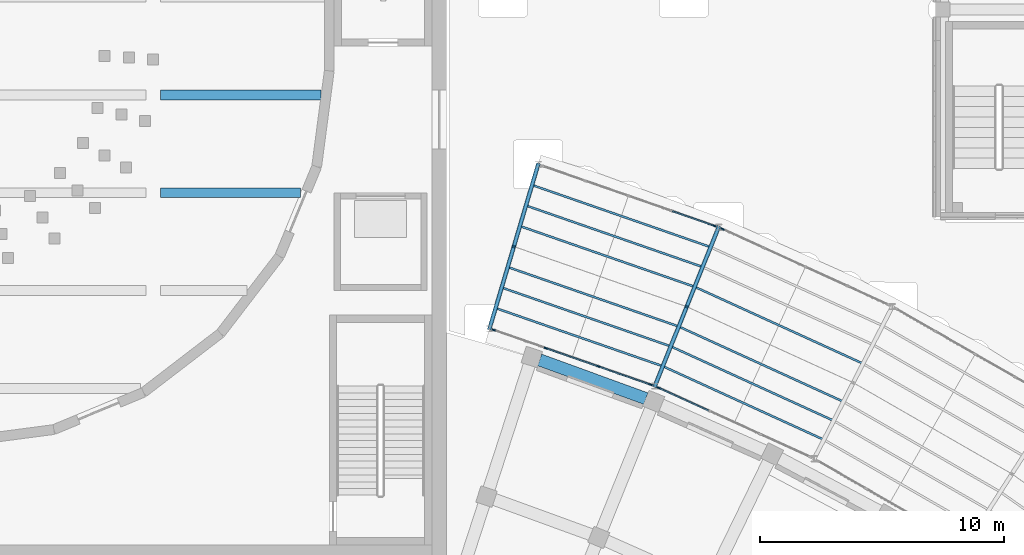
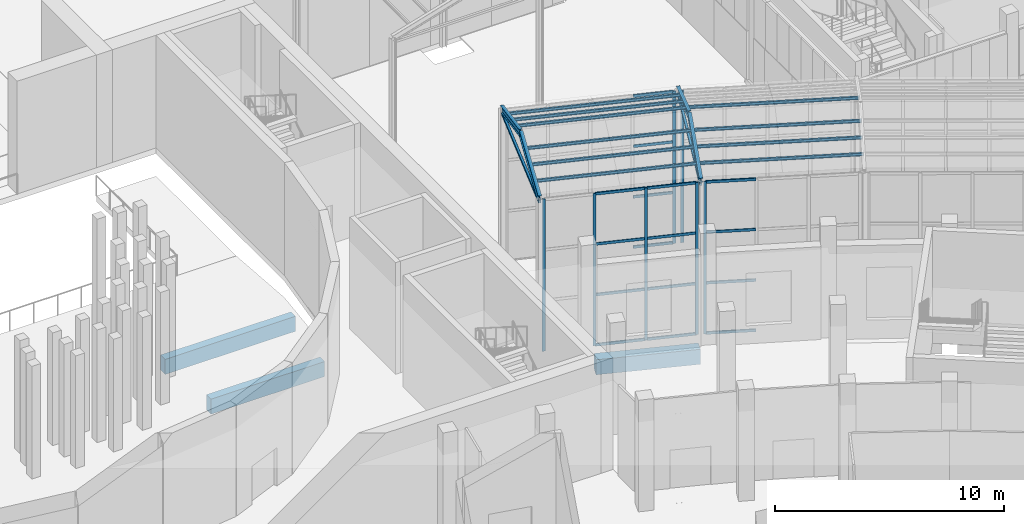
# One storey, part 46 of 155: 33 members, 9 beams, 4 elements without a shape of their own.
"""IFC4 building model written with IfcOpenShell, lengths in metres."""

from ifc_helpers import new_model, si_unit, direction, frame, origin, origin_2d, place, context, subcontext, project, spatial, rectangle, hollow_rectangle, i_section, extrude, material, layer, layer_set, material_profile, profile_set, type_object, element, aggregate, save


model = new_model("IFC4")

# Units and contexts
model_context = context("Model", 3, precision=1e-05, world=origin(), true_north=direction((0.0, 1.0)))
body_context = subcontext(model_context, "Body", "Model", "MODEL_VIEW")
ifc_project = project(units=[si_unit("LENGTHUNIT", "METRE"), si_unit("AREAUNIT", "SQUARE_METRE"), si_unit("VOLUMEUNIT", "CUBIC_METRE"), si_unit("PLANEANGLEUNIT", "RADIAN"), si_unit("MASSUNIT", "GRAM", prefix="KILO")], contexts=[model_context])

# Site, building, storey
site_placement = place(None, origin())
site = spatial("IfcSite", under=ifc_project, at=site_placement, CompositionType="ELEMENT")
building_placement = place(site_placement, origin())
building = spatial("IfcBuilding", under=site, at=building_placement, Name="Lunette Opera House", CompositionType="ELEMENT")
storey_placement = place(building_placement, origin())
storey = spatial("IfcBuildingStorey", under=building, at=storey_placement, Name="L00", CompositionType="ELEMENT", Elevation=0.0)

# Curtain wall, members
ifc_material_1 = material(Name="Aluminium", Category="aluminium")
ifc_layer = layer(ifc_material_1, 0.139892578125)
ifc_layer_set = layer_set([ifc_layer], Name="Aluminium")
curtain_wall_type = type_object("IfcCurtainWallType", Name="PASSAGE CURTAIN WALL", PredefinedType="NOTDEFINED", material=ifc_layer_set)
curtain_wall_1_placement = place(storey_placement, origin())
curtain_wall_1 = element("IfcCurtainWall", 1, at=curtain_wall_1_placement, inside=storey, type_object=curtain_wall_type, Name="Passage Curtain Wall EI1 L00", PredefinedType="NOTDEFINED")
ifc_material_2 = material(Name="Aluminium", Category="aluminium")
ifc_material_profile_1 = material_profile(ifc_material_2, rectangle(XDim=0.06005859375, YDim=0.139892578125, at=origin_2d()), Name="MULLION 60 X 140")
ifc_profile_set_1 = profile_set([ifc_material_profile_1], Name="Aluminium")
member_type_1 = type_object("IfcMemberType", Name="MULLION 60 X 140", PredefinedType="MULLION", material=ifc_profile_set_1)
member_1_placement = place(storey_placement, frame((117.92626953125, 73.38720703125, 0.0), z_axis=(0.0, 0.0, 1.0), x_axis=(0.328622409228, 0.944461387328, 0.0)))
member_1 = element("IfcMember", 2, at=member_1_placement, type_object=member_type_1, Name="PP-X2001 mullion 1", PredefinedType="MULLION", context=body_context, shape_type="SweptSolid", body=[
    extrude(rectangle(XDim=0.06005859375, YDim=0.139892578125, at=origin_2d()), origin(), (0.0, 0.0, 1.0), 8.10009765625),
])
member_2_placement = place(storey_placement, frame((120.057373046875, 72.645751953125, 0.0), z_axis=(0.0, 0.0, 1.0), x_axis=(0.328622409228, 0.944461387328, 0.0)))
member_2 = element("IfcMember", 3, at=member_2_placement, type_object=member_type_1, Name="PP-X2001 mullion 2", PredefinedType="MULLION", context=body_context, shape_type="SweptSolid", body=[
    extrude(rectangle(XDim=0.06005859375, YDim=0.139892578125, at=origin_2d()), origin(), (0.0, 0.0, 1.0), 8.10009765625),
])
member_3_placement = place(storey_placement, frame((122.216552734375, 71.894287109375, 0.0), z_axis=(0.0, 0.0, 1.0), x_axis=(0.328622409228, 0.944461387328, 0.0)))
member_3 = element("IfcMember", 4, at=member_3_placement, type_object=member_type_1, Name="PP-X2001 mullion 3", PredefinedType="MULLION", context=body_context, shape_type="SweptSolid", body=[
    extrude(rectangle(XDim=0.06005859375, YDim=0.139892578125, at=origin_2d()), origin(), (0.0, 0.0, 1.0), 8.10009765625),
])
member_4_placement = place(storey_placement, frame((124.34765625, 71.15283203125, 0.0), z_axis=(0.0, 0.0, 1.0), x_axis=(0.328622409228, 0.944461387328, 0.0)))
member_4 = element("IfcMember", 5, at=member_4_placement, type_object=member_type_1, Name="PP-X2001 mullion 4", PredefinedType="MULLION", context=body_context, shape_type="SweptSolid", body=[
    extrude(rectangle(XDim=0.06005859375, YDim=0.139892578125, at=origin_2d()), origin(), (0.0, 0.0, 1.0), 8.10009765625),
])

# Curtain wall, member
curtain_wall_2_placement = place(storey_placement, origin())
curtain_wall_2 = element("IfcCurtainWall", 6, at=curtain_wall_2_placement, inside=storey, type_object=curtain_wall_type, Name="Passage Curtain Wall EI2 L00", PredefinedType="NOTDEFINED")
member_5_placement = place(storey_placement, frame((124.681396484375, 71.01953125, 0.0), z_axis=(0.0, 0.0, 1.0), x_axis=(0.415273993958, 0.909696383384, 0.0)))
member_5 = element("IfcMember", 7, at=member_5_placement, type_object=member_type_1, Name="PP-X2002 mullion 1", PredefinedType="MULLION", context=body_context, shape_type="SweptSolid", body=[
    extrude(rectangle(XDim=0.06005859375, YDim=0.139892578125, at=origin_2d()), origin(), (0.0, 0.0, 1.0), 8.10009765625),
])

curtain_wall_3_placement = place(storey_placement, origin())
curtain_wall_3 = element("IfcCurtainWall", 8, at=curtain_wall_3_placement, inside=storey, type_object=curtain_wall_type, Name="Passage Curtain Wall EO1 L00", PredefinedType="NOTDEFINED")
member_6_placement = place(storey_placement, frame((126.95361328125, 77.64892578125, 0.0), z_axis=(0.0, 0.0, 1.0), x_axis=(0.328618707109, 0.94446267546, 0.0)))
member_6 = element("IfcMember", 9, at=member_6_placement, type_object=member_type_1, Name="PP-X2007 mullion 5", PredefinedType="MULLION", context=body_context, shape_type="SweptSolid", body=[
    extrude(rectangle(XDim=0.06005859375, YDim=0.139892578125, at=origin_2d()), origin(), (0.0, 0.0, 1.0), 8.10009765625),
])

curtain_wall_4_placement = place(storey_placement, origin())
curtain_wall_4 = element("IfcCurtainWall", 10, at=curtain_wall_4_placement, inside=storey, type_object=curtain_wall_type, Name="Passage Curtain Wall EO2 L00", PredefinedType="NOTDEFINED")
member_7_placement = place(storey_placement, frame((127.287353515625, 77.515625, 0.0), z_axis=(0.0, 0.0, 1.0), x_axis=(0.415206161321, 0.909727345747, 0.0)))
member_7 = element("IfcMember", 11, at=member_7_placement, type_object=member_type_1, Name="PP-X2008 mullion 1", PredefinedType="MULLION", context=body_context, shape_type="SweptSolid", body=[
    extrude(rectangle(XDim=0.06005859375, YDim=0.139892578125, at=origin_2d()), origin(), (0.0, 0.0, 1.0), 8.10009765625),
])
aggregate(curtain_wall_4, [member_7])

# Members
ifc_material_3 = material(Name="Steel S355", Category="steel")
ifc_material_profile_2 = material_profile(ifc_material_3, i_section(OverallWidth=0.08203125, OverallDepth=0.159912109375, WebThickness=0.0048828125, FlangeThickness=0.00732421875, FilletRadius=0.009033203125, at=origin_2d()), Name="IPE 160")
ifc_profile_set_2 = profile_set([ifc_material_profile_2], Name="Steel S355")
member_type_2 = type_object("IfcMemberType", Name="PURLIN IPE 160", PredefinedType="PURLIN", material=ifc_profile_set_2)
member_8_placement = place(storey_placement, frame((118.0048828125, 74.284912109375, 8.47509765625), z_axis=(0.944493157796, -0.328531086623, 0.0), x_axis=(0.328531086623, 0.944493157796, 0.0)))
element("IfcMember", 12, at=member_8_placement, inside=storey, type_object=member_type_2, Name="mem-PP-L00-PU5A1", PredefinedType="PURLIN", context=body_context, shape_type="SweptSolid", body=[
    extrude(i_section(OverallWidth=0.08203125, OverallDepth=0.159912109375, WebThickness=0.0048828125, FlangeThickness=0.00732421875, FilletRadius=0.009033203125, at=origin_2d()), origin(), (0.0, 0.0, 1.0), 7.240966796875),
])
member_9_placement = place(storey_placement, frame((119.4951171875, 79.318115234375, 8.47509765625), z_axis=(0.944501908222, -0.328505928965, 0.0), x_axis=(0.328505928965, 0.944501908222, 0.0)))
element("IfcMember", 13, at=member_9_placement, inside=storey, type_object=member_type_2, Name="mem-PP-L00-PU5B1", PredefinedType="PURLIN", context=body_context, shape_type="SweptSolid", body=[
    extrude(i_section(OverallWidth=0.08203125, OverallDepth=0.159912109375, WebThickness=0.0048828125, FlangeThickness=0.00732421875, FilletRadius=0.009033203125, at=origin_2d()), origin(), (0.0, 0.0, 1.0), 7.732177734375),
])
member_10_placement = place(storey_placement, frame((118.2529296875, 75.1240234375, 8.75), z_axis=(0.94447835376, -0.328573643614, 0.0), x_axis=(0.328573643614, 0.94447835376, 0.0)))
element("IfcMember", 14, at=member_10_placement, inside=storey, type_object=member_type_2, Name="mem-PP-L00-PU5A2", PredefinedType="PURLIN", context=body_context, shape_type="SweptSolid", body=[
    extrude(i_section(OverallWidth=0.08203125, OverallDepth=0.159912109375, WebThickness=0.0048828125, FlangeThickness=0.00732421875, FilletRadius=0.009033203125, at=origin_2d()), origin(), (0.0, 0.0, 1.0), 7.322509765625),
])
member_11_placement = place(storey_placement, frame((119.2470703125, 78.47900390625, 8.75), z_axis=(0.944498949556, -0.328514435433, 0.0), x_axis=(0.328514435433, 0.944498949556, 0.0)))
element("IfcMember", 15, at=member_11_placement, inside=storey, type_object=member_type_2, Name="mem-PP-L00-PU5B2", PredefinedType="PURLIN", context=body_context, shape_type="SweptSolid", body=[
    extrude(i_section(OverallWidth=0.08203125, OverallDepth=0.159912109375, WebThickness=0.0048828125, FlangeThickness=0.00732421875, FilletRadius=0.009033203125, at=origin_2d()), origin(), (0.0, 0.0, 1.0), 7.6494140625),
])
member_12_placement = place(storey_placement, frame((118.5009765625, 75.962890625, 9.02490234375), z_axis=(0.944491904089, -0.328534690877, 0.0), x_axis=(0.328534690877, 0.944491904089, 0.0)))
element("IfcMember", 16, at=member_12_placement, inside=storey, type_object=member_type_2, Name="mem-PP-L00-PU5A3", PredefinedType="PURLIN", context=body_context, shape_type="SweptSolid", body=[
    extrude(i_section(OverallWidth=0.08203125, OverallDepth=0.159912109375, WebThickness=0.0048828125, FlangeThickness=0.00732421875, FilletRadius=0.009033203125, at=origin_2d()), origin(), (0.0, 0.0, 1.0), 7.4052734375),
])
member_13_placement = place(storey_placement, frame((118.9990234375, 77.639892578125, 9.02490234375), z_axis=(0.944513333608, -0.328473077492, 0.0), x_axis=(0.328473077492, 0.944513333608, 0.0)))
element("IfcMember", 17, at=member_13_placement, inside=storey, type_object=member_type_2, Name="mem-PP-L00-PU5B3", PredefinedType="PURLIN", context=body_context, shape_type="SweptSolid", body=[
    extrude(i_section(OverallWidth=0.08203125, OverallDepth=0.159912109375, WebThickness=0.0048828125, FlangeThickness=0.00732421875, FilletRadius=0.009033203125, at=origin_2d()), origin(), (0.0, 0.0, 1.0), 7.56787109375),
])
member_14_placement = place(storey_placement, frame((124.843994140625, 71.906005859375, 8.47509765625), z_axis=(0.909687450042, -0.415293562719, 0.0), x_axis=(0.415293562719, 0.909687450042, 0.0)))
element("IfcMember", 18, at=member_14_placement, inside=storey, type_object=member_type_2, Name="mem-PP-L00-PU6A1", PredefinedType="PURLIN", context=body_context, shape_type="SweptSolid", body=[
    extrude(i_section(OverallWidth=0.08203125, OverallDepth=0.159912109375, WebThickness=0.0048828125, FlangeThickness=0.00732421875, FilletRadius=0.009033203125, at=origin_2d()), origin(), (0.0, 0.0, 1.0), 7.240966796875),
])
member_15_placement = place(storey_placement, frame((125.1689453125, 72.718017578125, 8.75), z_axis=(0.909707715771, -0.415249168412, 0.0), x_axis=(0.415249168412, 0.909707715771, 0.0)))
element("IfcMember", 19, at=member_15_placement, inside=storey, type_object=member_type_2, Name="mem-PP-L00-PU6A2", PredefinedType="PURLIN", context=body_context, shape_type="SweptSolid", body=[
    extrude(i_section(OverallWidth=0.08203125, OverallDepth=0.159912109375, WebThickness=0.0048828125, FlangeThickness=0.00732421875, FilletRadius=0.009033203125, at=origin_2d()), origin(), (0.0, 0.0, 1.0), 7.3232421875),
])
member_16_placement = place(storey_placement, frame((125.4951171875, 73.530029296875, 9.02490234375), z_axis=(0.909693419577, -0.415280486393, 0.0), x_axis=(0.415280486393, 0.909693419577, 0.0)))
element("IfcMember", 20, at=member_16_placement, inside=storey, type_object=member_type_2, Name="mem-PP-L00-PU6A3", PredefinedType="PURLIN", context=body_context, shape_type="SweptSolid", body=[
    extrude(i_section(OverallWidth=0.08203125, OverallDepth=0.159912109375, WebThickness=0.0048828125, FlangeThickness=0.00732421875, FilletRadius=0.009033203125, at=origin_2d()), origin(), (0.0, 0.0, 1.0), 7.404541015625),
])
member_17_placement = place(storey_placement, frame((126.14697265625, 75.154052734375, 9.02490234375), z_axis=(0.909741248639, -0.415175698379, 0.0), x_axis=(0.415175698379, 0.909741248639, 0.0)))
element("IfcMember", 21, at=member_17_placement, inside=storey, type_object=member_type_2, Name="mem-PP-L00-PU6B3", PredefinedType="PURLIN", context=body_context, shape_type="SweptSolid", body=[
    extrude(i_section(OverallWidth=0.08203125, OverallDepth=0.159912109375, WebThickness=0.0048828125, FlangeThickness=0.00732421875, FilletRadius=0.009033203125, at=origin_2d()), origin(), (0.0, 0.0, 1.0), 7.568115234375),
])

# Beams
ifc_material_4 = material(Name="Concrete C35/45", Category="concrete")
ifc_material_profile_3 = material_profile(ifc_material_4, rectangle(XDim=0.39990234375, YDim=0.800048828125, at=origin_2d()), Name="RC BEAM 400X800")
ifc_profile_set_3 = profile_set([ifc_material_profile_3], Name="Concrete C35/45")
beam_type_1 = type_object("IfcBeamType", Name="RC BEAM 400X800", PredefinedType="BEAM", material=ifc_profile_set_3)
beam_1_placement = place(storey_placement, frame((104.300048828125, 79.0, -1.48095703125), z_axis=(1.0, 0.0, 0.0), x_axis=(0.0, 1.0, 0.0)))
element("IfcBeam", 22, at=beam_1_placement, inside=storey, type_object=beam_type_1, Name="beam-AU-L00-ST79-4", PredefinedType="BEAM", context=body_context, shape_type="SweptSolid", body=[
    extrude(rectangle(XDim=0.39990234375, YDim=0.800048828125, at=origin_2d()), origin(), (0.0, 0.0, 1.0), 5.725830078125),
])
beam_2_placement = place(storey_placement, frame((104.300048828125, 83.0, -1.7939453125), z_axis=(1.0, 0.0, 0.0), x_axis=(0.0, 1.0, 0.0)))
element("IfcBeam", 23, at=beam_2_placement, inside=storey, type_object=beam_type_1, Name="beam-AU-L00-ST83-4", PredefinedType="BEAM", context=body_context, shape_type="SweptSolid", body=[
    extrude(rectangle(XDim=0.39990234375, YDim=0.800048828125, at=origin_2d()), origin(), (0.0, 0.0, 1.0), 6.56787109375),
])
ifc_material_5 = material(Name="Concrete C35/45", Category="concrete")
ifc_material_profile_4 = material_profile(ifc_material_5, rectangle(XDim=0.5, YDim=0.800048828125, at=origin_2d()), Name="RC BEAM 500X800")
ifc_profile_set_4 = profile_set([ifc_material_profile_4], Name="Concrete C35/45")
beam_type_2 = type_object("IfcBeamType", Name="RC BEAM 500X800", PredefinedType="BEAM", material=ifc_profile_set_4)
beam_3_placement = place(storey_placement, frame((119.804931640625, 72.1640625, -0.6201171875), z_axis=(0.939651519364, -0.34213304745, 0.0), x_axis=(0.34213304745, 0.939651519364, 0.0)))
element("IfcBeam", 24, at=beam_3_placement, inside=storey, type_object=beam_type_2, Name="beam-FC-L00-L00-RG-AR-C-RL-18", PredefinedType="BEAM", context=body_context, shape_type="SweptSolid", body=[
    extrude(rectangle(XDim=0.5, YDim=0.800048828125, at=origin_2d()), origin(), (0.0, 0.0, 1.0), 4.6240234375),
])
ifc_material_6 = material(Name="Steel S355", Category="steel")
ifc_material_profile_5 = material_profile(ifc_material_6, i_section(OverallWidth=0.159912109375, OverallDepth=0.330078125, WebThickness=0.007568359375, FlangeThickness=0.011474609375, FilletRadius=0.01806640625, at=origin_2d()), Name="IPE 330")
ifc_profile_set_5 = profile_set([ifc_material_profile_5], Name="Steel S355")
beam_type_3 = type_object("IfcBeamType", Name="STEEL BEAM IPE 330", PredefinedType="BEAM", material=ifc_profile_set_5)
beam_4_placement = place(storey_placement, frame((117.756103515625, 73.446044921875, 8.14990234375), z_axis=(0.270901042593, 0.914715237406, 0.299847727321), x_axis=(-0.958833993455, 0.283967204085, 0.0)))
element("IfcBeam", 25, at=beam_4_placement, inside=storey, type_object=beam_type_3, Name="beam-PP-L00-RF5A", PredefinedType="BEAM", context=body_context, shape_type="SweptSolid", body=[
    extrude(i_section(OverallWidth=0.159912109375, OverallDepth=0.330078125, WebThickness=0.007568359375, FlangeThickness=0.011474609375, FilletRadius=0.01806640625, at=origin_2d()), origin(), (0.0, 0.0, 1.0), 3.6689453125),
])
beam_5_placement = place(storey_placement, frame((119.743896484375, 80.156982421875, 8.14990234375), z_axis=(-0.270967014887, -0.914671755974, 0.299920748975), x_axis=(0.958811485411, -0.28404319292, 0.0)))
element("IfcBeam", 26, at=beam_5_placement, inside=storey, type_object=beam_type_3, Name="beam-PP-L00-RF5B", PredefinedType="BEAM", context=body_context, shape_type="SweptSolid", body=[
    extrude(i_section(OverallWidth=0.159912109375, OverallDepth=0.330078125, WebThickness=0.007568359375, FlangeThickness=0.011474609375, FilletRadius=0.01806640625, at=origin_2d()), origin(), (0.0, 0.0, 1.0), 3.66796875),
])
for number, where, z_axis, x_axis, name in (
    (27, (124.51806640625, 71.093994140625, 8.14990234375), (0.355181716086, 0.885392083719, 0.299877986263), (-0.928105771846, 0.372316634421, 0.0), "beam-PP-L00-RF6A"),
    (28, (127.1240234375, 77.590087890625, 8.14990234375), (-0.355181716086, -0.885392083719, 0.299877986263), (0.928105771846, -0.372316634421, 0.0), "beam-PP-L00-RF6B"),
):
    element("IfcBeam", number, at=place(storey_placement, frame(where, z_axis=z_axis, x_axis=x_axis)), inside=storey, type_object=beam_type_3, Name=name, PredefinedType="BEAM", context=body_context, shape_type="SweptSolid", body=[
        extrude(i_section(OverallWidth=0.159912109375, OverallDepth=0.330078125, WebThickness=0.007568359375, FlangeThickness=0.011474609375, FilletRadius=0.01806640625, at=origin_2d()), origin(), (0.0, 0.0, 1.0), 3.66845703125),
    ])
ifc_material_7 = material(Name="Steel S355", Category="steel")
ifc_material_profile_6 = material_profile(ifc_material_7, hollow_rectangle(XDim=0.1201171875, YDim=0.1201171875, WallThickness=0.006103515625, InnerFilletRadius=0.006103515625, OuterFilletRadius=0.011962890625, at=origin_2d()), Name="RHS 120X120X6")
ifc_profile_set_6 = profile_set([ifc_material_profile_6], Name="Steel S355")
beam_type_4 = type_object("IfcBeamType", Name="STEEL BEAM RHS 120X120X6", PredefinedType="BEAM", material=ifc_profile_set_6)
beam_6_placement = place(storey_placement, frame((117.756103515625, 73.446044921875, 7.949951171875), z_axis=(0.284005193643, 0.958822741691, 0.0), x_axis=(-0.958822741691, 0.284005193643, 0.0)))
element("IfcBeam", 29, at=beam_6_placement, inside=storey, type_object=beam_type_4, Name="beam-PP-L00-TI5", PredefinedType="BEAM", context=body_context, shape_type="SweptSolid", body=[
    extrude(hollow_rectangle(XDim=0.1201171875, YDim=0.1201171875, WallThickness=0.006103515625, InnerFilletRadius=0.006103515625, OuterFilletRadius=0.011962890625, at=origin_2d()), origin(), (0.0, 0.0, 1.0), 6.9990234375),
])
beam_7_placement = place(storey_placement, frame((124.51806640625, 71.093994140625, 7.949951171875), z_axis=(0.372316634421, 0.928105771846, 0.0), x_axis=(-0.928105771846, 0.372316634421, 0.0)))
element("IfcBeam", 30, at=beam_7_placement, inside=storey, type_object=beam_type_4, Name="beam-PP-L00-TI6", PredefinedType="BEAM", context=body_context, shape_type="SweptSolid", body=[
    extrude(hollow_rectangle(XDim=0.1201171875, YDim=0.1201171875, WallThickness=0.006103515625, InnerFilletRadius=0.006103515625, OuterFilletRadius=0.011962890625, at=origin_2d()), origin(), (0.0, 0.0, 1.0), 6.999267578125),
])

# Member
ifc_material_8 = material(Name="Aluminium", Category="aluminium")
ifc_material_profile_7 = material_profile(ifc_material_8, rectangle(XDim=0.06005859375, YDim=0.139892578125, at=origin_2d()), Name="TRANSOM 60 X 140")
ifc_profile_set_7 = profile_set([ifc_material_profile_7], Name="Aluminium")
member_type_3 = type_object("IfcMemberType", Name="TRANSOM 60 X 140", PredefinedType="USERDEFINED", material=ifc_profile_set_7)
member_18_placement = place(storey_placement, frame((120.085693359375, 72.6357421875, 0.030029296875), z_axis=(0.944479040974, -0.328571668226, 0.0), x_axis=(0.328571668226, 0.944479040974, 0.0)))
member_18 = element("IfcMember", 31, at=member_18_placement, type_object=member_type_3, Name="PP-X2001 transom 2.1", ObjectType="TRANSOM", PredefinedType="USERDEFINED", context=body_context, shape_type="SweptSolid", body=[
    extrude(rectangle(XDim=0.06005859375, YDim=0.139892578125, at=origin_2d()), origin(), (0.0, 0.0, 1.0), 2.22607421875),
])

member_19_placement = place(storey_placement, frame((120.085693359375, 72.6357421875, 2.699951171875), z_axis=(0.944479040974, -0.328571668226, 0.0), x_axis=(0.328571668226, 0.944479040974, 0.0)))
member_19 = element("IfcMember", 32, at=member_19_placement, type_object=member_type_3, Name="PP-X2001 transom 2.2", ObjectType="TRANSOM", PredefinedType="USERDEFINED", context=body_context, shape_type="SweptSolid", body=[
    extrude(rectangle(XDim=0.06005859375, YDim=0.139892578125, at=origin_2d()), origin(), (0.0, 0.0, 1.0), 2.22607421875),
])

member_20_placement = place(storey_placement, frame((120.085693359375, 72.6357421875, 5.39990234375), z_axis=(0.944479040974, -0.328571668226, 0.0), x_axis=(0.328571668226, 0.944479040974, 0.0)))
member_20 = element("IfcMember", 33, at=member_20_placement, type_object=member_type_3, Name="PP-X2001 transom 2.3", ObjectType="TRANSOM", PredefinedType="USERDEFINED", context=body_context, shape_type="SweptSolid", body=[
    extrude(rectangle(XDim=0.06005859375, YDim=0.139892578125, at=origin_2d()), origin(), (0.0, 0.0, 1.0), 2.22607421875),
])

member_21_placement = place(storey_placement, frame((120.085693359375, 72.6357421875, 8.070068359375), z_axis=(0.944479040974, -0.328571668226, 0.0), x_axis=(0.328571668226, 0.944479040974, 0.0)))
member_21 = element("IfcMember", 34, at=member_21_placement, type_object=member_type_3, Name="PP-X2001 transom 2.4", ObjectType="TRANSOM", PredefinedType="USERDEFINED", context=body_context, shape_type="SweptSolid", body=[
    extrude(rectangle(XDim=0.06005859375, YDim=0.139892578125, at=origin_2d()), origin(), (0.0, 0.0, 1.0), 2.22607421875),
])

member_22_placement = place(storey_placement, frame((122.2451171875, 71.884521484375, 0.030029296875), z_axis=(0.944432293307, -0.328706013572, 0.0), x_axis=(0.328706013572, 0.944432293307, 0.0)))
member_22 = element("IfcMember", 35, at=member_22_placement, type_object=member_type_3, Name="PP-X2001 transom 3.1", ObjectType="TRANSOM", PredefinedType="USERDEFINED", context=body_context, shape_type="SweptSolid", body=[
    extrude(rectangle(XDim=0.06005859375, YDim=0.139892578125, at=origin_2d()), origin(), (0.0, 0.0, 1.0), 2.1962890625),
])

member_23_placement = place(storey_placement, frame((122.2451171875, 71.884521484375, 2.699951171875), z_axis=(0.944432293307, -0.328706013572, 0.0), x_axis=(0.328706013572, 0.944432293307, 0.0)))
member_23 = element("IfcMember", 36, at=member_23_placement, type_object=member_type_3, Name="PP-X2001 transom 3.2", ObjectType="TRANSOM", PredefinedType="USERDEFINED", context=body_context, shape_type="SweptSolid", body=[
    extrude(rectangle(XDim=0.06005859375, YDim=0.139892578125, at=origin_2d()), origin(), (0.0, 0.0, 1.0), 2.1962890625),
])

member_24_placement = place(storey_placement, frame((122.2451171875, 71.884521484375, 5.39990234375), z_axis=(0.944432293307, -0.328706013572, 0.0), x_axis=(0.328706013572, 0.944432293307, 0.0)))
member_24 = element("IfcMember", 37, at=member_24_placement, type_object=member_type_3, Name="PP-X2001 transom 3.3", ObjectType="TRANSOM", PredefinedType="USERDEFINED", context=body_context, shape_type="SweptSolid", body=[
    extrude(rectangle(XDim=0.06005859375, YDim=0.139892578125, at=origin_2d()), origin(), (0.0, 0.0, 1.0), 2.1962890625),
])

member_25_placement = place(storey_placement, frame((122.2451171875, 71.884521484375, 8.070068359375), z_axis=(0.944432293307, -0.328706013572, 0.0), x_axis=(0.328706013572, 0.944432293307, 0.0)))
member_25 = element("IfcMember", 38, at=member_25_placement, type_object=member_type_3, Name="PP-X2001 transom 3.4", ObjectType="TRANSOM", PredefinedType="USERDEFINED", context=body_context, shape_type="SweptSolid", body=[
    extrude(rectangle(XDim=0.06005859375, YDim=0.139892578125, at=origin_2d()), origin(), (0.0, 0.0, 1.0), 2.1962890625),
])

aggregate(curtain_wall_1, [member_1, member_2, member_3, member_4, member_18, member_19, member_20, member_21, member_22, member_23, member_24, member_25])

member_26_placement = place(storey_placement, frame((124.70849609375, 71.007080078125, 0.030029296875), z_axis=(0.909691654485, -0.415284352896, 0.0), x_axis=(0.415284352896, 0.909691654485, 0.0)))
member_26 = element("IfcMember", 39, at=member_26_placement, type_object=member_type_3, Name="PP-X2002 transom 1.1", ObjectType="TRANSOM", PredefinedType="USERDEFINED", context=body_context, shape_type="SweptSolid", body=[
    extrude(rectangle(XDim=0.06005859375, YDim=0.139892578125, at=origin_2d()), origin(), (0.0, 0.0, 1.0), 2.197021484375),
])

member_27_placement = place(storey_placement, frame((124.70849609375, 71.007080078125, 2.699951171875), z_axis=(0.909691654485, -0.415284352896, 0.0), x_axis=(0.415284352896, 0.909691654485, 0.0)))
member_27 = element("IfcMember", 40, at=member_27_placement, type_object=member_type_3, Name="PP-X2002 transom 1.2", ObjectType="TRANSOM", PredefinedType="USERDEFINED", context=body_context, shape_type="SweptSolid", body=[
    extrude(rectangle(XDim=0.06005859375, YDim=0.139892578125, at=origin_2d()), origin(), (0.0, 0.0, 1.0), 2.197021484375),
])

member_28_placement = place(storey_placement, frame((124.70849609375, 71.007080078125, 5.39990234375), z_axis=(0.909691654485, -0.415284352896, 0.0), x_axis=(0.415284352896, 0.909691654485, 0.0)))
member_28 = element("IfcMember", 41, at=member_28_placement, type_object=member_type_3, Name="PP-X2002 transom 1.3", ObjectType="TRANSOM", PredefinedType="USERDEFINED", context=body_context, shape_type="SweptSolid", body=[
    extrude(rectangle(XDim=0.06005859375, YDim=0.139892578125, at=origin_2d()), origin(), (0.0, 0.0, 1.0), 2.197021484375),
])

member_29_placement = place(storey_placement, frame((124.70849609375, 71.007080078125, 8.070068359375), z_axis=(0.909691654485, -0.415284352896, 0.0), x_axis=(0.415284352896, 0.909691654485, 0.0)))
member_29 = element("IfcMember", 42, at=member_29_placement, type_object=member_type_3, Name="PP-X2002 transom 1.4", ObjectType="TRANSOM", PredefinedType="USERDEFINED", context=body_context, shape_type="SweptSolid", body=[
    extrude(rectangle(XDim=0.06005859375, YDim=0.139892578125, at=origin_2d()), origin(), (0.0, 0.0, 1.0), 2.197021484375),
])

aggregate(curtain_wall_2, [member_5, member_26, member_27, member_28, member_29])

member_30_placement = place(storey_placement, frame((125.236328125, 78.246337890625, 0.030029296875), z_axis=(0.944465481935, -0.328610641084, 0.0), x_axis=(0.328610641084, 0.944465481935, 0.0)))
member_30 = element("IfcMember", 43, at=member_30_placement, type_object=member_type_3, Name="PP-X2007 transom 4.1", ObjectType="TRANSOM", PredefinedType="USERDEFINED", context=body_context, shape_type="SweptSolid", body=[
    extrude(rectangle(XDim=0.06005859375, YDim=0.139892578125, at=origin_2d()), origin(), (0.0, 0.0, 1.0), 1.788330078125),
])

member_31_placement = place(storey_placement, frame((125.236328125, 78.246337890625, 2.699951171875), z_axis=(0.944465481935, -0.328610641084, 0.0), x_axis=(0.328610641084, 0.944465481935, 0.0)))
member_31 = element("IfcMember", 44, at=member_31_placement, type_object=member_type_3, Name="PP-X2007 transom 4.2", ObjectType="TRANSOM", PredefinedType="USERDEFINED", context=body_context, shape_type="SweptSolid", body=[
    extrude(rectangle(XDim=0.06005859375, YDim=0.139892578125, at=origin_2d()), origin(), (0.0, 0.0, 1.0), 1.788330078125),
])

member_32_placement = place(storey_placement, frame((125.236328125, 78.246337890625, 5.39990234375), z_axis=(0.944465481935, -0.328610641084, 0.0), x_axis=(0.328610641084, 0.944465481935, 0.0)))
member_32 = element("IfcMember", 45, at=member_32_placement, type_object=member_type_3, Name="PP-X2007 transom 4.3", ObjectType="TRANSOM", PredefinedType="USERDEFINED", context=body_context, shape_type="SweptSolid", body=[
    extrude(rectangle(XDim=0.06005859375, YDim=0.139892578125, at=origin_2d()), origin(), (0.0, 0.0, 1.0), 1.788330078125),
])

member_33_placement = place(storey_placement, frame((125.236328125, 78.246337890625, 8.070068359375), z_axis=(0.944465481935, -0.328610641084, 0.0), x_axis=(0.328610641084, 0.944465481935, 0.0)))
member_33 = element("IfcMember", 46, at=member_33_placement, type_object=member_type_3, Name="PP-X2007 transom 4.4", ObjectType="TRANSOM", PredefinedType="USERDEFINED", context=body_context, shape_type="SweptSolid", body=[
    extrude(rectangle(XDim=0.06005859375, YDim=0.139892578125, at=origin_2d()), origin(), (0.0, 0.0, 1.0), 1.788330078125),
])

aggregate(curtain_wall_3, [member_6, member_30, member_31, member_32, member_33])

save(model, "model.ifc")
